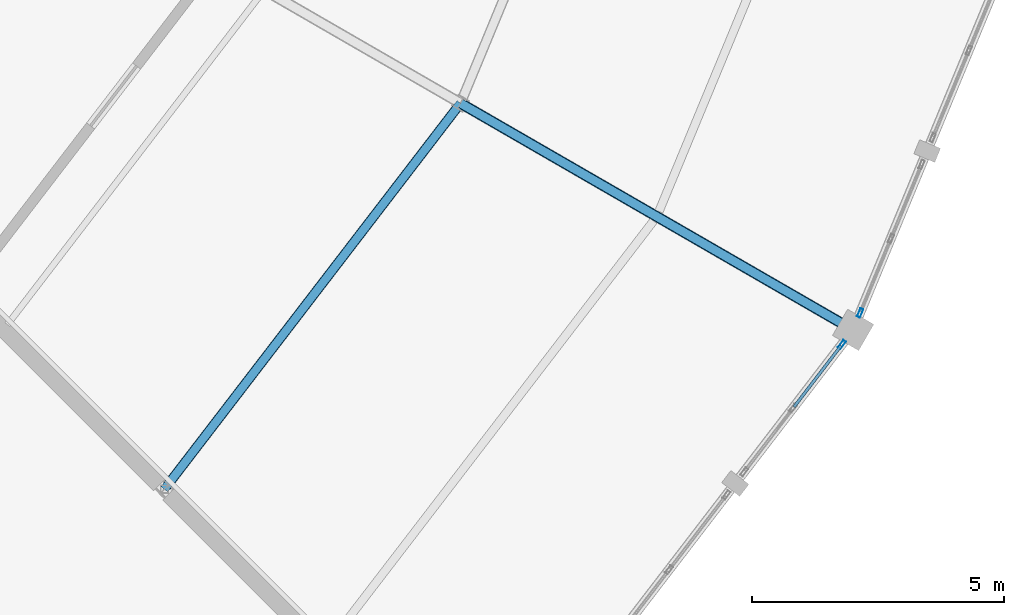
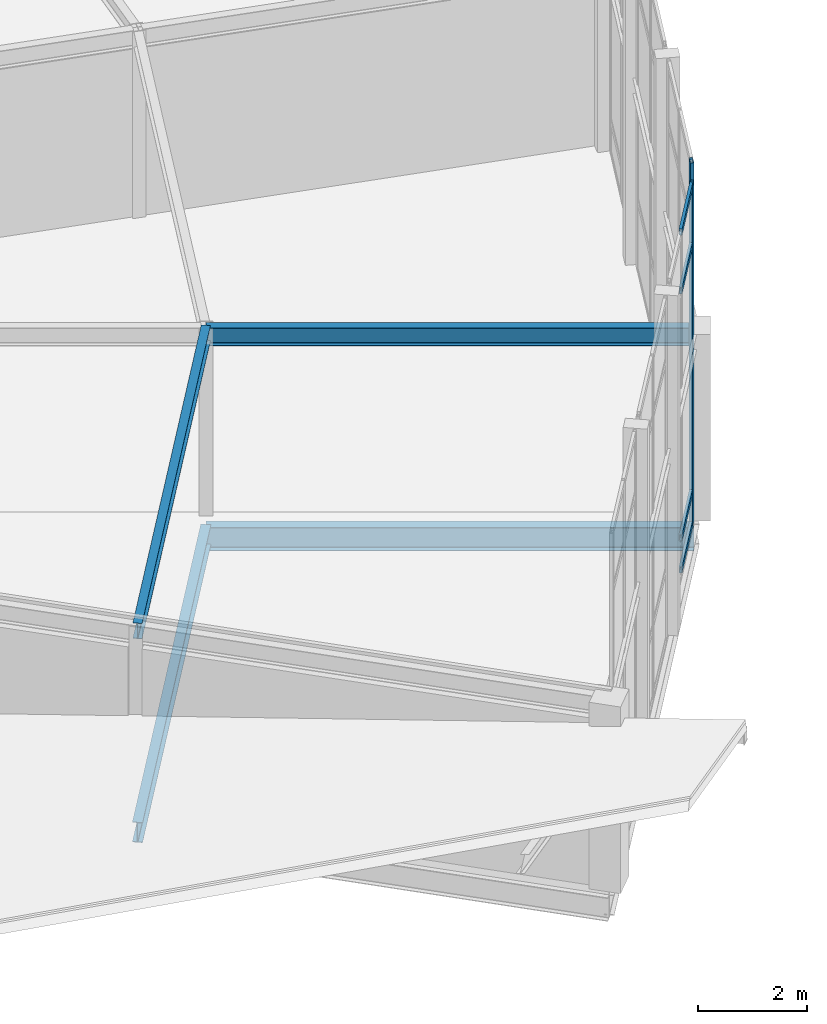
# One storey, part 108 of 185: 6 members, 4 beams, 2 elements without a shape of their own.
"""IFC4 building model written with IfcOpenShell, lengths in metres."""

from ifc_helpers import new_model, si_unit, direction, frame, origin, origin_2d, place, context, subcontext, project, spatial, hollow_rectangle, i_section, extrude, material, material_profile, profile_set, type_object, element, aggregate, save


model = new_model("IFC4")

# Units and contexts
model_context = context("Model", 3, precision=1e-05, world=origin(), true_north=direction((0.0, 1.0)))
body_context = subcontext(model_context, "Body", "Model", "MODEL_VIEW")
ifc_project = project(units=[si_unit("LENGTHUNIT", "METRE"), si_unit("AREAUNIT", "SQUARE_METRE"), si_unit("VOLUMEUNIT", "CUBIC_METRE"), si_unit("PLANEANGLEUNIT", "RADIAN"), si_unit("MASSUNIT", "GRAM", prefix="KILO")], contexts=[model_context])

# Site, building, storey
site_placement = place(None, origin())
site = spatial("IfcSite", under=ifc_project, at=site_placement, CompositionType="ELEMENT")
building_placement = place(site_placement, origin())
building = spatial("IfcBuilding", under=site, at=building_placement, Name="Vondelvale Polytechnic", CompositionType="ELEMENT")
storey_placement = place(building_placement, frame((0.0, 0.0, 9.60009765625)))
storey = spatial("IfcBuildingStorey", under=building, at=storey_placement, Name="L02", CompositionType="ELEMENT", Elevation=9.60009765625)

# Beams
ifc_material_1 = material(Name="Steel 300PLUS (fy = 300 MPa)", Category="steel")
ifc_material_profile_1 = material_profile(ifc_material_1, i_section(OverallWidth=0.1708984375, OverallDepth=0.35205078125, WebThickness=0.0068359375, FlangeThickness=0.009765625, FilletRadius=0.011474609375, at=origin_2d()), Name="360UB44.7")
ifc_profile_set_1 = profile_set([ifc_material_profile_1], Name="Steel 300PLUS (fy = 300 MPa)")
beam_type_1 = type_object("IfcBeamType", Name="BM-UB360L", PredefinedType="BEAM", material=ifc_profile_set_1)
beam_1_placement = place(storey_placement, frame((128.1630859375, 45.8369140625, 4.02392578125), z_axis=(0.60874775518, 0.793363832402, 0.0), x_axis=(-0.793363832402, 0.60874775518, 0.0)))
element("IfcBeam", 1, at=beam_1_placement, inside=storey, type_object=beam_type_1, Name="L02 RE B-24", PredefinedType="BEAM", context=body_context, shape_type="SweptSolid", body=[
    extrude(i_section(OverallWidth=0.1708984375, OverallDepth=0.35205078125, WebThickness=0.0068359375, FlangeThickness=0.009765625, FilletRadius=0.011474609375, at=origin_2d()), origin(), (0.0, 0.0, 1.0), 9.658935546875),
])
ifc_material_profile_2 = material_profile(ifc_material_1, i_section(OverallWidth=0.177978515625, OverallDepth=0.403076171875, WebThickness=0.007568359375, FlangeThickness=0.010986328125, FilletRadius=0.011474609375, at=origin_2d()), Name="410UB53.7")
ifc_profile_set_2 = profile_set([ifc_material_profile_2], Name="Steel 300PLUS (fy = 300 MPa)")
beam_type_2 = type_object("IfcBeamType", Name="BM-UB410L", PredefinedType="BEAM", material=ifc_profile_set_2)
beam_2_placement = place(storey_placement, frame((134.04296875, 53.5, 3.998291015625), z_axis=(0.866024315419, -0.5000018851, 0.0), x_axis=(0.5000018851, 0.866024315419, 0.0)))
element("IfcBeam", 2, at=beam_2_placement, inside=storey, type_object=beam_type_2, Name="L02 REG B-23", PredefinedType="BEAM", context=body_context, shape_type="SweptSolid", body=[
    extrude(i_section(OverallWidth=0.177978515625, OverallDepth=0.403076171875, WebThickness=0.007568359375, FlangeThickness=0.010986328125, FilletRadius=0.011474609375, at=origin_2d()), origin(), (0.0, 0.0, 1.0), 9.0),
])
ifc_material_profile_3 = material_profile(ifc_material_1, i_section(OverallWidth=0.18994140625, OverallDepth=0.4541015625, WebThickness=0.008544921875, FlangeThickness=0.0126953125, FilletRadius=0.011474609375, at=origin_2d()), Name="460UB67.1")
ifc_profile_set_3 = profile_set([ifc_material_profile_3], Name="Steel 300PLUS (fy = 300 MPa)")
beam_type_3 = type_object("IfcBeamType", Name="BM-UB460L", PredefinedType="BEAM", material=ifc_profile_set_3)
beam_3_placement = place(storey_placement, frame((128.1630859375, 45.8369140625, -0.507080078125), z_axis=(0.60874775518, 0.793363832402, 0.0), x_axis=(-0.793363832402, 0.60874775518, 0.0)))
element("IfcBeam", 3, at=beam_3_placement, inside=storey, type_object=beam_type_3, Name="L02 RB B-22", PredefinedType="BEAM", context=body_context, shape_type="SweptSolid", body=[
    extrude(i_section(OverallWidth=0.18994140625, OverallDepth=0.4541015625, WebThickness=0.008544921875, FlangeThickness=0.0126953125, FilletRadius=0.011474609375, at=origin_2d()), origin(), (0.0, 0.0, 1.0), 9.658935546875),
])
ifc_material_profile_4 = material_profile(ifc_material_1, i_section(OverallWidth=0.208984375, OverallDepth=0.532958984375, WebThickness=0.01025390625, FlangeThickness=0.015625, FilletRadius=0.013916015625, at=origin_2d()), Name="530UB92.4")
ifc_profile_set_4 = profile_set([ifc_material_profile_4], Name="Steel 300PLUS (fy = 300 MPa)")
beam_type_4 = type_object("IfcBeamType", Name="BM-UB530", PredefinedType="BEAM", material=ifc_profile_set_4)
beam_4_placement = place(storey_placement, frame((134.04296875, 53.5, -0.546630859375), z_axis=(0.866024315419, -0.5000018851, 0.0), x_axis=(0.5000018851, 0.866024315419, 0.0)))
element("IfcBeam", 4, at=beam_4_placement, inside=storey, type_object=beam_type_4, Name="L02 RG B-11", PredefinedType="BEAM", context=body_context, shape_type="SweptSolid", body=[
    extrude(i_section(OverallWidth=0.208984375, OverallDepth=0.532958984375, WebThickness=0.01025390625, FlangeThickness=0.015625, FilletRadius=0.013916015625, at=origin_2d()), origin(), (0.0, 0.0, 1.0), 9.0),
])

# Curtain wall, member
ifc_material_2 = material(Name="Glulam GL18 structural Tasmanian oak (fb = 42 MPa)", Category="wood")
curtain_wall_type = type_object("IfcCurtainWallType", Name="CW-RING-OUTER", PredefinedType="NOTDEFINED", material=ifc_material_2)
curtain_wall_1_placement = place(storey_placement, origin())
curtain_wall_1 = element("IfcCurtainWall", 5, at=curtain_wall_1_placement, inside=storey, type_object=curtain_wall_type, Name="L02 architectural curtain wall CW-04-358", PredefinedType="NOTDEFINED")
ifc_material_3 = material(Name="Anodised extruded aluminium 6063-T6", Category="aluminium")
ifc_material_profile_5 = material_profile(ifc_material_3, hollow_rectangle(XDim=0.06494140625, YDim=0.179931640625, WallThickness=0.00390625, at=origin_2d()), Name="CW-MUL-180x65")
ifc_profile_set_5 = profile_set([ifc_material_profile_5], Name="Anodised extruded aluminium 6063-T6")
member_type_1 = type_object("IfcMemberType", Name="CW-MUL-65x180", PredefinedType="MULLION", material=ifc_profile_set_5)
member_1_placement = place(storey_placement, frame((141.614990234375, 48.710205078125, 0.0), z_axis=(0.0, 0.0, 1.0), x_axis=(-0.793333825656, 0.608786860133, 0.0)))
member_1 = element("IfcMember", 6, at=member_1_placement, type_object=member_type_1, Name="CW-04-358 mullion 3", PredefinedType="MULLION", context=body_context, shape_type="SweptSolid", body=[
    extrude(hollow_rectangle(XDim=0.06494140625, YDim=0.179931640625, WallThickness=0.00390625, at=origin_2d()), origin(), (0.0, 0.0, 1.0), 7.661376953125),
])

curtain_wall_2_placement = place(storey_placement, origin())
curtain_wall_2 = element("IfcCurtainWall", 7, at=curtain_wall_2_placement, inside=storey, type_object=curtain_wall_type, Name="L02 architectural curtain wall CW-04-367", PredefinedType="NOTDEFINED")
member_2_placement = place(storey_placement, frame((141.97705078125, 49.33740234375, 0.0), z_axis=(0.0, 0.0, 1.0), x_axis=(-0.923882033442, 0.382677394529, 0.0)))
member_2 = element("IfcMember", 8, at=member_2_placement, type_object=member_type_1, Name="CW-04-367 mullion 1", PredefinedType="MULLION", context=body_context, shape_type="SweptSolid", body=[
    extrude(hollow_rectangle(XDim=0.06494140625, YDim=0.179931640625, WallThickness=0.00390625, at=origin_2d()), origin(), (0.0, 0.0, 1.0), 7.661376953125),
])
aggregate(curtain_wall_2, [member_2])

# Member
ifc_material_profile_6 = material_profile(ifc_material_3, hollow_rectangle(XDim=0.06005859375, YDim=0.139892578125, WallThickness=0.00341796875, at=origin_2d()), Name="CW-TRN-140x60")
ifc_profile_set_6 = profile_set([ifc_material_profile_6], Name="Anodised extruded aluminium 6063-T6")
member_type_2 = type_object("IfcMemberType", Name="CW-TRN-60x140", PredefinedType="USERDEFINED", material=ifc_profile_set_6)
member_3_placement = place(storey_placement, frame((140.66357421875, 47.470703125, 0.02978515625), z_axis=(0.608923875222, 0.7932286645, 0.0), x_axis=(-0.7932286645, 0.608923875222, 0.0)))
member_3 = element("IfcMember", 9, at=member_3_placement, type_object=member_type_2, Name="CW-04-358 transom 2.1", ObjectType="TRANSOM", PredefinedType="USERDEFINED", context=body_context, shape_type="SweptSolid", body=[
    extrude(hollow_rectangle(XDim=0.06005859375, YDim=0.139892578125, WallThickness=0.00341796875, at=origin_2d()), origin(), (0.0, 0.0, 1.0), 1.530029296875),
])

member_4_placement = place(storey_placement, frame((140.66357421875, 47.470703125, 0.75), z_axis=(0.608923875222, 0.7932286645, 0.0), x_axis=(-0.7932286645, 0.608923875222, 0.0)))
member_4 = element("IfcMember", 10, at=member_4_placement, type_object=member_type_2, Name="CW-04-358 transom 2.2", ObjectType="TRANSOM", PredefinedType="USERDEFINED", context=body_context, shape_type="SweptSolid", body=[
    extrude(hollow_rectangle(XDim=0.06005859375, YDim=0.139892578125, WallThickness=0.00341796875, at=origin_2d()), origin(), (0.0, 0.0, 1.0), 1.530029296875),
])

member_5_placement = place(storey_placement, frame((140.66357421875, 47.470703125, 6.311279296875), z_axis=(0.608923875222, 0.7932286645, 0.0), x_axis=(-0.7932286645, 0.608923875222, 0.0)))
member_5 = element("IfcMember", 11, at=member_5_placement, type_object=member_type_2, Name="CW-04-358 transom 2.3", ObjectType="TRANSOM", PredefinedType="USERDEFINED", context=body_context, shape_type="SweptSolid", body=[
    extrude(hollow_rectangle(XDim=0.06005859375, YDim=0.139892578125, WallThickness=0.00341796875, at=origin_2d()), origin(), (0.0, 0.0, 1.0), 1.530029296875),
])

member_6_placement = place(storey_placement, frame((140.66357421875, 47.470703125, 7.63134765625), z_axis=(0.608923875222, 0.7932286645, 0.0), x_axis=(-0.7932286645, 0.608923875222, 0.0)))
member_6 = element("IfcMember", 12, at=member_6_placement, type_object=member_type_2, Name="CW-04-358 transom 2.4", ObjectType="TRANSOM", PredefinedType="USERDEFINED", context=body_context, shape_type="SweptSolid", body=[
    extrude(hollow_rectangle(XDim=0.06005859375, YDim=0.139892578125, WallThickness=0.00341796875, at=origin_2d()), origin(), (0.0, 0.0, 1.0), 1.530029296875),
])

aggregate(curtain_wall_1, [member_1, member_3, member_4, member_5, member_6])

save(model, "model.ifc")
